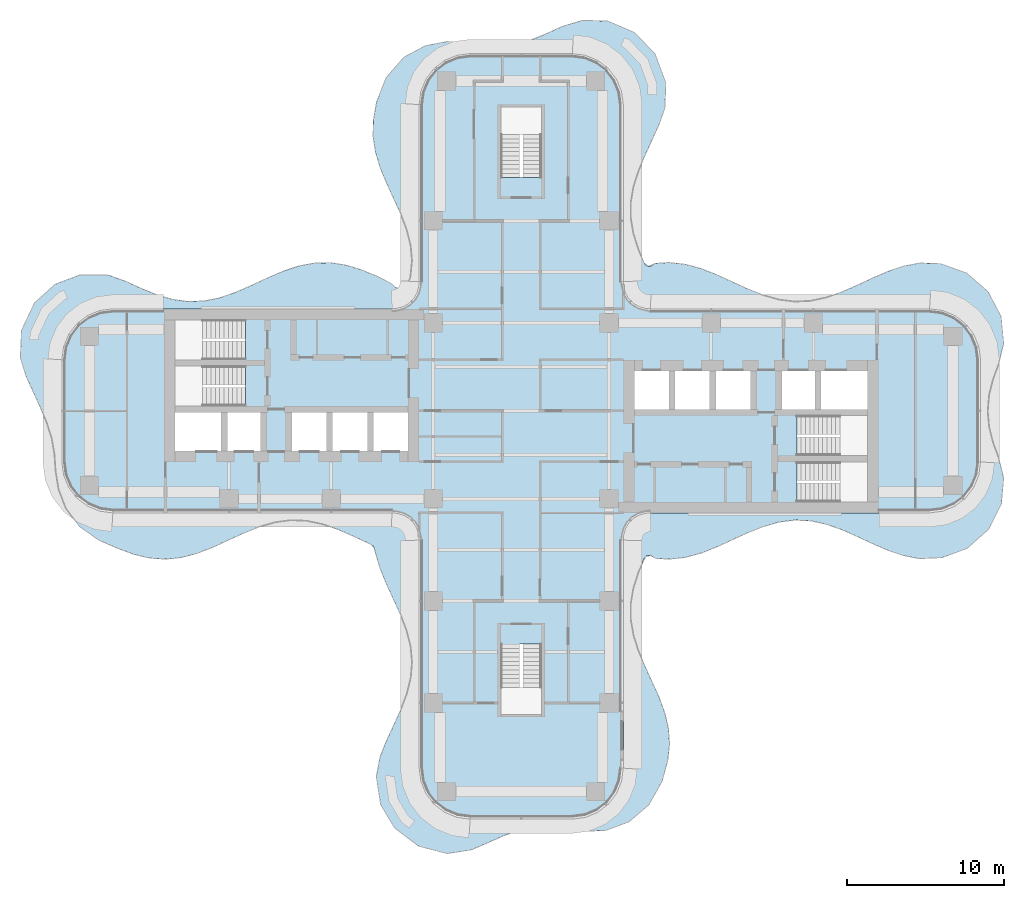
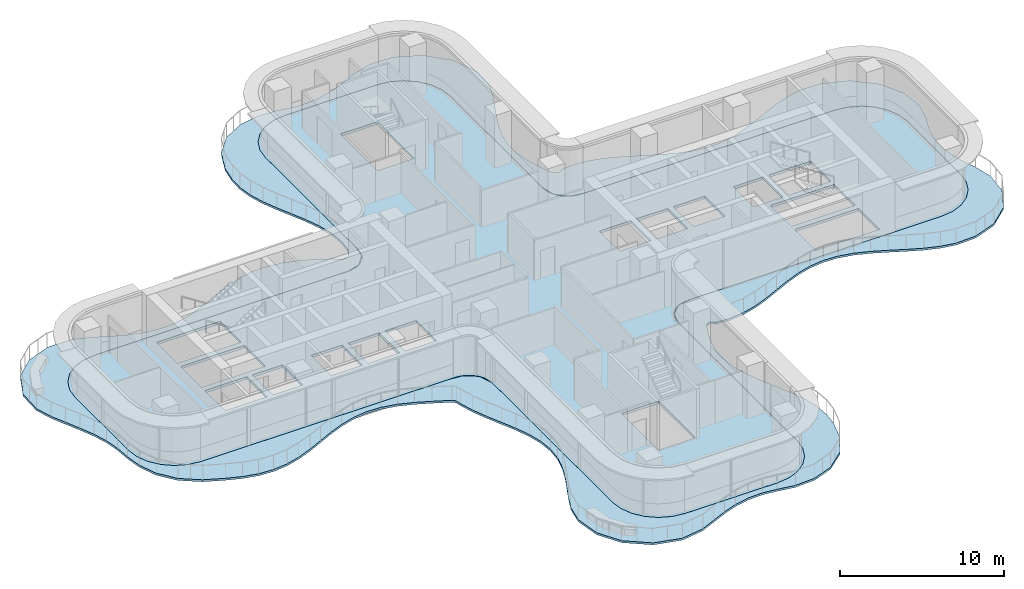
# One storey, part 10 of 18: 2 slabs.
"""IFC4 building model written with IfcOpenShell, lengths in metres."""

from ifc_helpers import new_model, si_unit, direction, frame, origin, place, context, subcontext, project, spatial, polyline, outline, extrude, source, transform, mapped, material, layer, layer_set, type_object, element, save


model = new_model("IFC4")

# Units and contexts
model_context = context("Model", 3, precision=1e-05, world=origin(), true_north=direction((0.0, 1.0)))
body_context = subcontext(model_context, "Body", "Model", "MODEL_VIEW")
ifc_project = project(units=[si_unit("LENGTHUNIT", "METRE"), si_unit("AREAUNIT", "SQUARE_METRE"), si_unit("VOLUMEUNIT", "CUBIC_METRE"), si_unit("PLANEANGLEUNIT", "RADIAN"), si_unit("MASSUNIT", "GRAM", prefix="KILO")], contexts=[model_context])

# Site, building, storey
site_placement = place(None, origin())
site = spatial("IfcSite", under=ifc_project, at=site_placement, CompositionType="ELEMENT")
building_placement = place(site_placement, origin())
building = spatial("IfcBuilding", under=site, at=building_placement, Name="Trellis Farm Tower", CompositionType="ELEMENT")
storey_placement = place(building_placement, frame((0.0, 0.0, 201.0)))
storey = spatial("IfcBuildingStorey", under=building, at=storey_placement, Name="L44", CompositionType="ELEMENT", Elevation=201.0)

# Slabs
ifc_material = material(Name="Concrete C40/50", Category="concrete")
ifc_layer_1 = layer(ifc_material, 0.14990234375)
ifc_layer_set_1 = layer_set([ifc_layer_1], Name="Balcony slab 150")
slab_type_1 = type_object("IfcSlabType", Name="Balcony slab 150", PredefinedType="FLOOR", material=ifc_layer_set_1)
slab_1_placement = place(storey_placement, frame((0.0, 0.0, -0.14990234375)))
element("IfcSlab", 1, at=slab_1_placement, inside=storey, type_object=slab_type_1, Name="Balcony slab", PredefinedType="FLOOR", context=body_context, shape_type="SweptSolid", body=[
    extrude(outline(polyline([(-29.470703125, -4.9609375), (-29.650634765625, -3.81982421875), (-29.652099609375, -3.806640625), (-29.724609375, -2.737548828125), (-29.7255859375, -2.729736328125), (-29.899169921875, -1.73681640625), (-29.901611328125, -1.726806640625), (-30.2158203125, -0.746826171875), (-30.218017578125, -0.740478515625), (-30.633544921875, 0.2431640625), (-30.634521484375, 0.2451171875), (-31.53271484375, 2.21337890625), (-31.539306640625, 2.231201171875), (-31.882080078125, 3.336669921875), (-31.888916015625, 3.385986328125), (-31.83203125, 5.05712890625), (-31.827880859375, 5.08740234375), (-31.81884765625, 5.124755859375), (-31.808837890625, 5.15283203125), (-31.027099609375, 6.817626953125), (-31.011962890625, 6.843017578125), (-30.9892578125, 6.873779296875), (-30.969482421875, 6.8955078125), (-29.726806640625, 8.02685546875), (-29.7041015625, 8.0439453125), (-29.672607421875, 8.063232421875), (-29.64697265625, 8.07568359375), (-28.101318359375, 8.654296875), (-28.0751953125, 8.66162109375), (-28.04052734375, 8.667724609375), (-28.012451171875, 8.669921875), (-26.329345703125, 8.649169921875), (-26.28076171875, 8.640380859375), (-25.145751953125, 8.234130859375), (-25.133544921875, 8.229248046875), (-24.1455078125, 7.77392578125), (-24.14208984375, 7.7724609375), (-23.159423828125, 7.377685546875), (-23.152099609375, 7.375), (-22.172607421875, 7.093505859375), (-22.162109375, 7.09130859375), (-21.18212890625, 6.960205078125), (-21.169189453125, 6.959716796875), (-20.18408203125, 6.99755859375), (-20.171875, 6.9990234375), (-19.178955078125, 7.2041015625), (-19.169677734375, 7.206787109375), (-18.17138671875, 7.552734375), (-18.165771484375, 7.554931640625), (-17.16357421875, 7.99365234375), (-17.162109375, 7.994384765625), (-16.162109375, 8.4619140625), (-16.15771484375, 8.4638671875), (-15.16455078125, 8.89111328125), (-15.152587890625, 8.895751953125), (-14.1669921875, 9.223876953125), (-14.147705078125, 9.22900390625), (-13.170166015625, 9.413818359375), (-13.14501953125, 9.41650390625), (-12.173583984375, 9.435302734375), (-12.148193359375, 9.43359375), (-11.177490234375, 9.285400390625), (-11.15673828125, 9.280517578125), (-10.181396484375, 8.98486328125), (-10.167724609375, 8.97998046875), (-9.197998046875, 8.580078125), (-9.18701171875, 8.5751953125), (-8.323486328125, 8.134033203125), (-8.2890625, 8.10986328125), (-8.037841796875, 7.873291015625), (-8.025146484375, 7.86376953125), (-7.908203125, 7.79345703125), (-7.87548828125, 7.782958984375), (-7.740234375, 7.772705078125), (-7.722900390625, 7.7734375), (-7.55078125, 7.801025390625), (-7.533447265625, 7.80615234375), (-7.40283203125, 7.86181640625), (-7.37451171875, 7.88330078125), (-7.285400390625, 7.993896484375), (-7.275634765625, 8.009521484375), (-7.0654296875, 8.463623046875), (-7.06103515625, 8.475830078125), (-7.033203125, 8.579833984375), (-7.031005859375, 8.593017578125), (-6.953125, 9.54541015625), (-6.953125, 9.558349609375), (-7.043212890625, 10.5390625), (-7.044921875, 10.550537109375), (-7.291748046875, 11.52978515625), (-7.294189453125, 11.537841796875), (-7.6650390625, 12.519287109375), (-7.6669921875, 12.52392578125), (-8.572265625, 14.498779296875), (-8.57470703125, 14.50390625), (-8.97998046875, 15.48681640625), (-8.98486328125, 15.50048828125), (-9.280517578125, 16.4755859375), (-9.285400390625, 16.49658203125), (-9.43359375, 17.46728515625), (-9.435302734375, 17.49267578125), (-9.416259765625, 18.467529296875), (-9.414306640625, 18.48974609375), (-9.215576171875, 19.660400390625), (-9.206787109375, 19.69091796875), (-8.595458984375, 21.2216796875), (-8.569091796875, 21.264892578125), (-7.485595703125, 22.50048828125), (-7.466064453125, 22.519287109375), (-7.438720703125, 22.540771484375), (-7.415283203125, 22.555908203125), (-6.109619140625, 23.242919921875), (-6.068115234375, 23.25732421875), (-4.7255859375, 23.51513671875), (-4.688232421875, 23.517578125), (-3.451904296875, 23.4423828125), (-3.434814453125, 23.4404296875), (-2.353515625, 23.2490234375), (-2.34375, 23.247802734375), (-1.412353515625, 23.20703125), (-1.39990234375, 23.20751953125), (-0.41064453125, 23.330810546875), (-0.399658203125, 23.3330078125), (0.630615234375, 23.625), (0.637939453125, 23.627685546875), (1.604248046875, 24.015380859375), (1.607666015625, 24.016845703125), (2.612548828125, 24.478515625), (2.63232421875, 24.48583984375), (3.89501953125, 24.862060546875), (3.942138671875, 24.868408203125), (5.4951171875, 24.82470703125), (5.523681640625, 24.821044921875), (5.56005859375, 24.81298828125), (5.58740234375, 24.803955078125), (7.178466796875, 24.1083984375), (7.204345703125, 24.09375), (7.236083984375, 24.07177734375), (7.258544921875, 24.052490234375), (8.523681640625, 22.72509765625), (8.54248046875, 22.70068359375), (8.563720703125, 22.66650390625), (8.577392578125, 22.638427734375), (9.20166015625, 20.90673828125), (9.208984375, 20.878662109375), (9.214599609375, 20.841796875), (9.216064453125, 20.81201171875), (9.1455078125, 19.27587890625), (9.13720703125, 19.23291015625), (8.790283203125, 18.2529296875), (8.785400390625, 18.24072265625), (7.884521484375, 16.2666015625), (7.883544921875, 16.2646484375), (7.45703125, 15.251220703125), (7.45458984375, 15.244873046875), (7.151611328125, 14.29443359375), (7.149169921875, 14.28466796875), (6.97802734375, 13.305419921875), (6.976806640625, 13.29296875), (6.971923828125, 12.309326171875), (6.972900390625, 12.296630859375), (7.1376953125, 11.305908203125), (7.14013671875, 11.29541015625), (7.4658203125, 10.2685546875), (7.468017578125, 10.261962890625), (7.825439453125, 9.415283203125), (7.834716796875, 9.399169921875), (7.92138671875, 9.284423828125), (7.949951171875, 9.26171875), (8.072265625, 9.2060546875), (8.108154296875, 9.19970703125), (8.2421875, 9.208984375), (8.276611328125, 9.220458984375), (8.396484375, 9.29638671875), (8.41357421875, 9.311279296875), (8.433837890625, 9.33544921875), (8.538330078125, 9.388427734375), (9.3955078125, 9.44677734375), (9.421875, 9.4462890625), (10.422119140625, 9.338134765625), (10.44482421875, 9.333740234375), (11.41845703125, 9.072021484375), (11.433837890625, 9.06689453125), (12.4052734375, 8.6884765625), (12.413330078125, 8.68505859375), (14.397705078125, 7.77392578125), (14.40087890625, 7.7724609375), (15.417724609375, 7.365966796875), (15.42529296875, 7.36328125), (16.421142578125, 7.0830078125), (16.43212890625, 7.080810546875), (17.421142578125, 6.95751953125), (17.43408203125, 6.95703125), (18.416015625, 7.0048828125), (18.42822265625, 7.00634765625), (19.4072265625, 7.21630859375), (19.416259765625, 7.21875), (20.39697265625, 7.562744140625), (20.40234375, 7.564697265625), (21.386962890625, 7.997314453125), (21.388427734375, 7.997802734375), (22.381103515625, 8.4619140625), (22.385009765625, 8.4638671875), (23.36474609375, 8.885986328125), (23.376708984375, 8.890380859375), (24.375732421875, 9.223876953125), (24.3955078125, 9.22900390625), (25.3740234375, 9.412109375), (25.406982421875, 9.414306640625), (26.697021484375, 9.366455078125), (26.741943359375, 9.357666015625), (28.33984375, 8.783203125), (28.36572265625, 8.77099609375), (28.396484375, 8.752685546875), (28.419189453125, 8.736328125), (29.726318359375, 7.585693359375), (29.74560546875, 7.565185546875), (29.76806640625, 7.536376953125), (29.783203125, 7.5126953125), (30.551025390625, 6.01220703125), (30.5615234375, 5.986083984375), (30.57177734375, 5.951171875), (30.5771484375, 5.92236328125), (30.720703125, 4.317138671875), (30.717041015625, 4.2685546875), (30.416015625, 3.01904296875), (30.41064453125, 3.001953125), (30.0439453125, 2.015625), (30.04150390625, 2.0078125), (29.795166015625, 1.029296875), (29.793212890625, 1.017578125), (29.703125, -0.023681640625), (29.703369140625, -0.037109375), (29.793212890625, -1.017578125), (29.794921875, -1.029052734375), (30.04150390625, -2.0078125), (30.0439453125, -2.015625), (30.41064453125, -3.001953125), (30.416015625, -3.01904296875), (30.717041015625, -4.2685546875), (30.720703125, -4.317138671875), (30.5771484375, -5.92236328125), (30.57177734375, -5.951171875), (30.5615234375, -5.986083984375), (30.551025390625, -6.01220703125), (29.783203125, -7.5126953125), (29.76806640625, -7.536376953125), (29.74560546875, -7.565185546875), (29.726318359375, -7.585693359375), (28.419189453125, -8.736328125), (28.396484375, -8.752685546875), (28.365478515625, -8.771240234375), (28.34033203125, -8.783203125), (26.79541015625, -9.34716796875), (26.75, -9.356201171875), (25.368408203125, -9.411376953125), (25.333984375, -9.40869140625), (24.37255859375, -9.222900390625), (24.353515625, -9.218017578125), (23.39013671875, -8.895751953125), (23.37841796875, -8.891357421875), (22.38525390625, -8.4638671875), (22.381103515625, -8.4619140625), (21.388427734375, -7.997802734375), (21.386962890625, -7.997314453125), (20.40234375, -7.564697265625), (20.39697265625, -7.562744140625), (19.416259765625, -7.21875), (19.4072265625, -7.21630859375), (18.42822265625, -7.00634765625), (18.416015625, -7.0048828125), (17.43408203125, -6.95703125), (17.421142578125, -6.95751953125), (16.43212890625, -7.080810546875), (16.421142578125, -7.0830078125), (15.42529296875, -7.36328125), (15.417724609375, -7.365966796875), (14.40087890625, -7.7724609375), (14.397705078125, -7.77392578125), (12.413330078125, -8.68505859375), (12.4052734375, -8.6884765625), (11.433837890625, -9.06689453125), (11.41845703125, -9.072021484375), (10.44482421875, -9.333740234375), (10.422119140625, -9.338134765625), (9.421875, -9.4462890625), (9.3955078125, -9.44677734375), (8.538330078125, -9.388427734375), (8.433837890625, -9.33544921875), (8.41357421875, -9.311279296875), (8.396484375, -9.29638671875), (8.276611328125, -9.220458984375), (8.2421875, -9.208984375), (8.108154296875, -9.19970703125), (8.072265625, -9.2060546875), (7.949951171875, -9.26171875), (7.92138671875, -9.284423828125), (7.834716796875, -9.399169921875), (7.825439453125, -9.415283203125), (7.468017578125, -10.261962890625), (7.4658203125, -10.2685546875), (7.14013671875, -11.29541015625), (7.1376953125, -11.305908203125), (6.972900390625, -12.296630859375), (6.971923828125, -12.309326171875), (6.976806640625, -13.29296875), (6.97802734375, -13.305419921875), (7.149169921875, -14.28466796875), (7.151611328125, -14.29443359375), (7.45458984375, -15.244873046875), (7.45703125, -15.251220703125), (7.883544921875, -16.2646484375), (7.884521484375, -16.2666015625), (8.785888671875, -18.241943359375), (8.790283203125, -18.253173828125), (9.152587890625, -19.251708984375), (9.15771484375, -19.26904296875), (9.37744140625, -20.220947265625), (9.380859375, -20.24462890625), (9.44677734375, -21.21484375), (9.4462890625, -21.240966796875), (9.343017578125, -22.21484375), (9.338623046875, -22.23779296875), (8.98193359375, -23.569091796875), (8.9677734375, -23.60400390625), (8.154296875, -25.0498046875), (8.139404296875, -25.07177734375), (8.117431640625, -25.098388671875), (8.098876953125, -25.1171875), (6.879150390625, -26.15478515625), (6.857421875, -26.169921875), (6.827880859375, -26.187255859375), (6.803955078125, -26.198486328125), (5.440185546875, -26.70068359375), (5.3955078125, -26.709716796875), (4.035888671875, -26.77587890625), (4.00390625, -26.774169921875), (2.865234375, -26.584228515625), (2.862548828125, -26.583740234375), (1.91064453125, -26.460205078125), (1.897705078125, -26.459716796875), (0.855712890625, -26.5048828125), (0.843017578125, -26.50634765625), (-0.1357421875, -26.71630859375), (-0.144775390625, -26.71875), (-1.100341796875, -27.052734375), (-1.105712890625, -27.0546875), (-3.13818359375, -27.943603515625), (-3.17529296875, -27.954345703125), (-4.67431640625, -28.186767578125), (-4.704833984375, -28.188232421875), (-4.743408203125, -28.186279296875), (-4.773193359375, -28.181640625), (-6.470703125, -27.74365234375), (-6.498291015625, -27.733642578125), (-6.53271484375, -27.717041015625), (-6.557861328125, -27.701904296875), (-8.008056640625, -26.61083984375), (-8.029052734375, -26.591552734375), (-8.053955078125, -26.56396484375), (-8.071044921875, -26.541015625), (-8.9267578125, -25.12255859375), (-8.939208984375, -25.0966796875), (-8.951904296875, -25.062255859375), (-8.959228515625, -25.03369140625), (-9.2255859375, -23.324462890625), (-9.224609375, -23.273193359375), (-8.98193359375, -21.999755859375), (-8.97314453125, -21.970703125), (-8.57470703125, -21.00390625), (-8.572265625, -20.998779296875), (-7.667236328125, -19.024169921875), (-7.6650390625, -19.019287109375), (-7.2822265625, -17.999267578125), (-7.279541015625, -17.99072265625), (-7.035888671875, -16.996337890625), (-7.033935546875, -16.984619140625), (-6.953125, -15.99755859375), (-6.953125, -15.984619140625), (-7.043212890625, -15.00390625), (-7.044921875, -14.992431640625), (-7.291748046875, -14.01318359375), (-7.294189453125, -14.005126953125), (-7.6650390625, -13.023681640625), (-7.6669921875, -13.018798828125), (-8.572265625, -11.044189453125), (-8.57470703125, -11.0390625), (-8.97998046875, -10.05615234375), (-8.98486328125, -10.04248046875), (-9.28369140625, -9.05712890625), (-9.28662109375, -9.0458984375), (-9.3486328125, -8.763916015625), (-9.3544921875, -8.747314453125), (-9.41455078125, -8.623291015625), (-9.436767578125, -8.5966796875), (-9.547607421875, -8.51318359375), (-9.56103515625, -8.505126953125), (-10.662109375, -7.994384765625), (-10.66357421875, -7.993896484375), (-11.640625, -7.564697265625), (-11.64599609375, -7.562744140625), (-12.62646484375, -7.21875), (-12.635986328125, -7.21630859375), (-13.671630859375, -6.999267578125), (-13.68408203125, -6.99755859375), (-14.669189453125, -6.959716796875), (-14.68212890625, -6.960205078125), (-15.662109375, -7.09130859375), (-15.672607421875, -7.093505859375), (-16.652099609375, -7.375), (-16.659423828125, -7.377685546875), (-17.64208984375, -7.7724609375), (-17.645263671875, -7.77392578125), (-19.620361328125, -8.68115234375), (-19.628662109375, -8.684814453125), (-20.627197265625, -9.072998046875), (-20.64306640625, -9.078125), (-21.62451171875, -9.3388671875), (-21.647216796875, -9.343017578125), (-22.62109375, -9.4462890625), (-22.647216796875, -9.44677734375), (-23.6171875, -9.380859375), (-23.64111328125, -9.37744140625), (-24.61328125, -9.15185546875), (-24.630859375, -9.146484375), (-25.600341796875, -8.7939453125), (-25.6083984375, -8.790771484375), (-26.88720703125, -8.240234375), (-26.914794921875, -8.224609375), (-28.135986328125, -7.3544921875), (-28.169189453125, -7.32177734375), (-28.998779296875, -6.205078125), (-29.018798828125, -6.16845703125), (-29.462890625, -4.990478515625), (-29.470703125, -4.9609375)]), holes=[polyline([(-7.23388671875, 6.814697265625), (-7.279052734375, 6.784423828125), (-7.320068359375, 6.765380859375), (-8.194091796875, 6.5087890625), (-8.236083984375, 6.502685546875), (-21.130615234375, 6.50048828125), (-26.0, 6.50048828125), (-26.84130859375, 6.389892578125), (-27.625244140625, 6.065185546875), (-28.298583984375, 5.548583984375), (-28.815185546875, 4.875244140625), (-29.139892578125, 4.09130859375), (-29.25048828125, 3.25), (-29.25048828125, -3.25), (-29.139892578125, -4.09130859375), (-28.815185546875, -4.875244140625), (-28.298583984375, -5.548583984375), (-27.625244140625, -6.065185546875), (-26.84130859375, -6.389892578125), (-26.0, -6.50048828125), (-8.66748046875, -6.50048828125), (-8.6669921875, -6.50048828125), (-7.740234375, -6.58544921875), (-7.7041015625, -6.59326171875), (-7.66015625, -6.608642578125), (-7.627197265625, -6.625), (-6.92724609375, -7.08642578125), (-6.892822265625, -7.117919921875), (-6.857421875, -7.162109375), (-6.83349609375, -7.2041015625), (-6.5205078125, -8.05517578125), (-6.51123046875, -8.105224609375), (-6.50048828125, -8.99609375), (-6.50048828125, -22.75), (-6.389892578125, -23.59130859375), (-6.065185546875, -24.375244140625), (-5.548583984375, -25.048583984375), (-4.875244140625, -25.565185546875), (-4.09130859375, -25.889892578125), (-3.25, -26.00048828125), (3.25, -26.00048828125), (4.09130859375, -25.889892578125), (4.875244140625, -25.565185546875), (5.548583984375, -25.048583984375), (6.065185546875, -24.375244140625), (6.389892578125, -23.59130859375), (6.50048828125, -22.75), (6.50048828125, -8.321044921875), (6.50439453125, -8.290283203125), (6.720458984375, -7.40380859375), (6.737060546875, -7.363037109375), (6.764404296875, -7.31689453125), (6.79150390625, -7.283203125), (7.401611328125, -6.717041015625), (7.43701171875, -6.692626953125), (7.485107421875, -6.668701171875), (7.526611328125, -6.655517578125), (8.429931640625, -6.502197265625), (8.44775390625, -6.50048828125), (26.0, -6.50048828125), (26.84130859375, -6.389892578125), (27.625244140625, -6.065185546875), (28.298583984375, -5.548583984375), (28.815185546875, -4.875244140625), (29.139892578125, -4.09130859375), (29.25048828125, -3.25), (29.25048828125, 3.25), (29.139892578125, 4.09130859375), (28.815185546875, 4.875244140625), (28.298583984375, 5.548583984375), (27.625244140625, 6.065185546875), (26.84130859375, 6.389892578125), (26.0, 6.50048828125), (8.447998046875, 6.50048828125), (8.429931640625, 6.502197265625), (7.50927734375, 6.658203125), (7.461181640625, 6.67529296875), (7.439697265625, 6.687255859375), (7.4111328125, 6.708251953125), (6.7744140625, 7.299072265625), (6.746826171875, 7.33349609375), (6.7421875, 7.341552734375), (6.72607421875, 7.381591796875), (6.50439453125, 8.290283203125), (6.50048828125, 8.321044921875), (6.50048828125, 19.5), (6.389892578125, 20.34130859375), (6.065185546875, 21.125244140625), (5.548583984375, 21.798583984375), (4.875244140625, 22.315185546875), (4.09130859375, 22.639892578125), (3.25, 22.75048828125), (-3.25, 22.75048828125), (-4.09130859375, 22.639892578125), (-4.875244140625, 22.315185546875), (-5.548583984375, 21.798583984375), (-6.065185546875, 21.125244140625), (-6.389892578125, 20.34130859375), (-6.50048828125, 19.5), (-6.50048828125, 8.536376953125), (-6.501220703125, 8.526611328125), (-6.618408203125, 7.612548828125), (-6.629638671875, 7.572021484375), (-6.650390625, 7.52392578125), (-6.672119140625, 7.48828125), (-7.201171875, 6.84423828125), (-7.23388671875, 6.814697265625)])]), origin(), (0.0, 0.0, 1.0), 0.14990234375),
])
ifc_layer_2 = layer(ifc_material, 0.199951171875)
ifc_layer_set_2 = layer_set([ifc_layer_2], Name="Composite deck floor slab 200")
slab_type_2 = type_object("IfcSlabType", Name="Composite deck floor slab 200", PredefinedType="FLOOR", material=ifc_layer_set_2)
shared_shape = source(origin(), body_context, "Body", "SweptSolid", [
    extrude(outline(polyline([(-26.84130859375, -6.389404296875), (-27.625, -6.064697265625), (-28.298095703125, -5.548095703125), (-28.814697265625, -4.875), (-29.139404296875, -4.09130859375), (-29.25, -3.25), (-29.25, 3.25), (-29.139404296875, 4.09130859375), (-28.814697265625, 4.875), (-28.298095703125, 5.548095703125), (-27.625, 6.064697265625), (-26.84130859375, 6.389404296875), (-26.0, 6.5), (-8.2314453125, 6.5), (-8.01953125, 6.513916015625), (-7.91552734375, 6.527587890625), (-7.508544921875, 6.63671875), (-7.144287109375, 6.846923828125), (-6.846923828125, 7.144287109375), (-6.63671875, 7.508544921875), (-6.527587890625, 7.91552734375), (-6.513916015625, 8.01953125), (-6.5, 8.2314453125), (-6.5, 19.5), (-6.389404296875, 20.34130859375), (-6.064697265625, 21.125), (-5.548095703125, 21.798095703125), (-4.875, 22.314697265625), (-4.09130859375, 22.639404296875), (-3.25, 22.75), (3.25, 22.75), (4.09130859375, 22.639404296875), (4.875, 22.314697265625), (5.548095703125, 21.798095703125), (6.064697265625, 21.125), (6.389404296875, 20.34130859375), (6.5, 19.5), (6.5, 8.2314453125), (6.513916015625, 8.01953125), (6.527587890625, 7.91552734375), (6.63671875, 7.508544921875), (6.846923828125, 7.144287109375), (7.144287109375, 6.846923828125), (7.508544921875, 6.63671875), (7.91552734375, 6.527587890625), (8.01953125, 6.513916015625), (8.2314453125, 6.5), (26.0, 6.5), (26.84130859375, 6.389404296875), (27.625, 6.064697265625), (28.298095703125, 5.548095703125), (28.814697265625, 4.875), (29.139404296875, 4.09130859375), (29.25, 3.25), (29.25, -3.25), (29.139404296875, -4.09130859375), (28.814697265625, -4.875), (28.298095703125, -5.548095703125), (27.625, -6.064697265625), (26.84130859375, -6.389404296875), (26.0, -6.5), (8.2314453125, -6.5), (8.01953125, -6.513916015625), (7.91552734375, -6.527587890625), (7.508544921875, -6.63671875), (7.144287109375, -6.846923828125), (6.846923828125, -7.144287109375), (6.63671875, -7.508544921875), (6.527587890625, -7.91552734375), (6.513916015625, -8.01953125), (6.5, -8.2314453125), (6.5, -22.75), (6.389404296875, -23.59130859375), (6.064697265625, -24.375), (5.548095703125, -25.048095703125), (4.875, -25.564697265625), (4.09130859375, -25.889404296875), (3.25, -26.0), (-3.25, -26.0), (-4.09130859375, -25.889404296875), (-4.875, -25.564697265625), (-5.548095703125, -25.048095703125), (-6.064697265625, -24.375), (-6.389404296875, -23.59130859375), (-6.5, -22.75), (-6.5, -8.2314453125), (-6.513916015625, -8.01953125), (-6.527587890625, -7.91552734375), (-6.63671875, -7.508544921875), (-6.846923828125, -7.144287109375), (-7.144287109375, -6.846923828125), (-7.508544921875, -6.63671875), (-7.91552734375, -6.527587890625), (-8.01953125, -6.513916015625), (-8.2314453125, -6.5), (-26.0, -6.5), (-26.84130859375, -6.389404296875)]), holes=[polyline([(-22.050048828125, -0.10009765625), (-22.050048828125, -2.550048828125), (-19.10009765625, -2.550048828125), (-19.10009765625, -0.10009765625), (-22.050048828125, -0.10009765625)]), polyline([(-18.699951171875, -0.10009765625), (-18.699951171875, -2.550048828125), (-16.60009765625, -2.550048828125), (-16.60009765625, -0.10009765625), (-18.699951171875, -0.10009765625)]), polyline([(-14.60009765625, -0.10009765625), (-14.60009765625, -2.550048828125), (-12.39990234375, -2.550048828125), (-12.39990234375, -0.10009765625), (-14.60009765625, -0.10009765625)]), polyline([(-12.0, -0.10009765625), (-12.0, -2.550048828125), (-9.800048828125, -2.550048828125), (-9.800048828125, -0.10009765625), (-12.0, -0.10009765625)]), polyline([(-9.39990234375, -0.10009765625), (-9.39990234375, -2.550048828125), (-7.199951171875, -2.550048828125), (-7.199951171875, -0.10009765625), (-9.39990234375, -0.10009765625)]), polyline([(-17.56201171875, 1.64990234375), (-17.56201171875, 2.85009765625), (-22.050048828125, 2.85009765625), (-22.050048828125, 0.300048828125), (-17.56005859375, 0.300048828125), (-17.56005859375, 1.5), (-17.550048828125, 1.5), (-17.550048828125, 1.64990234375), (-17.56201171875, 1.64990234375)]), polyline([(-17.56201171875, 4.60009765625), (-17.56201171875, 5.800048828125), (-22.050048828125, 5.800048828125), (-22.050048828125, 3.25), (-17.56005859375, 3.25), (-17.56005859375, 4.449951171875), (-17.550048828125, 4.449951171875), (-17.550048828125, 4.60009765625), (-17.56201171875, 4.60009765625)]), polyline([(0.10009765625, 14.862060546875), (1.300048828125, 14.862060546875), (1.300048828125, 19.35009765625), (-1.300048828125, 19.35009765625), (-1.300048828125, 14.860107421875), (-0.10009765625, 14.860107421875), (-0.10009765625, 14.85009765625), (0.10009765625, 14.85009765625), (0.10009765625, 14.862060546875)]), polyline([(-0.10009765625, -14.862060546875), (-1.300048828125, -14.862060546875), (-1.300048828125, -19.35009765625), (1.300048828125, -19.35009765625), (1.300048828125, -14.860107421875), (0.10009765625, -14.860107421875), (0.10009765625, -14.85009765625), (-0.10009765625, -14.85009765625), (-0.10009765625, -14.862060546875)]), polyline([(17.56201171875, -4.60009765625), (17.56201171875, -5.800048828125), (22.050048828125, -5.800048828125), (22.050048828125, -3.25), (17.56005859375, -3.25), (17.56005859375, -4.449951171875), (17.550048828125, -4.449951171875), (17.550048828125, -4.60009765625), (17.56201171875, -4.60009765625)]), polyline([(17.56201171875, -1.64990234375), (17.56201171875, -2.85009765625), (22.050048828125, -2.85009765625), (22.050048828125, -0.300048828125), (17.56005859375, -0.300048828125), (17.56005859375, -1.5), (17.550048828125, -1.5), (17.550048828125, -1.64990234375), (17.56201171875, -1.64990234375)]), polyline([(9.39990234375, 0.10009765625), (9.39990234375, 2.550048828125), (7.199951171875, 2.550048828125), (7.199951171875, 0.10009765625), (9.39990234375, 0.10009765625)]), polyline([(12.0, 0.10009765625), (12.0, 2.550048828125), (9.800048828125, 2.550048828125), (9.800048828125, 0.10009765625), (12.0, 0.10009765625)]), polyline([(14.60009765625, 0.10009765625), (14.60009765625, 2.550048828125), (12.39990234375, 2.550048828125), (12.39990234375, 0.10009765625), (14.60009765625, 0.10009765625)]), polyline([(18.699951171875, 0.10009765625), (18.699951171875, 2.550048828125), (16.60009765625, 2.550048828125), (16.60009765625, 0.10009765625), (18.699951171875, 0.10009765625)]), polyline([(22.050048828125, 0.10009765625), (22.050048828125, 2.550048828125), (19.10009765625, 2.550048828125), (19.10009765625, 0.10009765625), (22.050048828125, 0.10009765625)])]), origin(), (0.0, 0.0, 1.0), 0.199951171875),
])
slab_2_placement = place(storey_placement, frame((0.0, 0.0, -0.199951171875)))
element("IfcSlab", 2, at=slab_2_placement, inside=storey, type_object=slab_type_2, Name="Floor slab", PredefinedType="FLOOR", context=body_context, shape_type="MappedRepresentation", body=[
    mapped(shared_shape, transform((0.0, 0.0, 0.0))),
])

save(model, "model.ifc")
